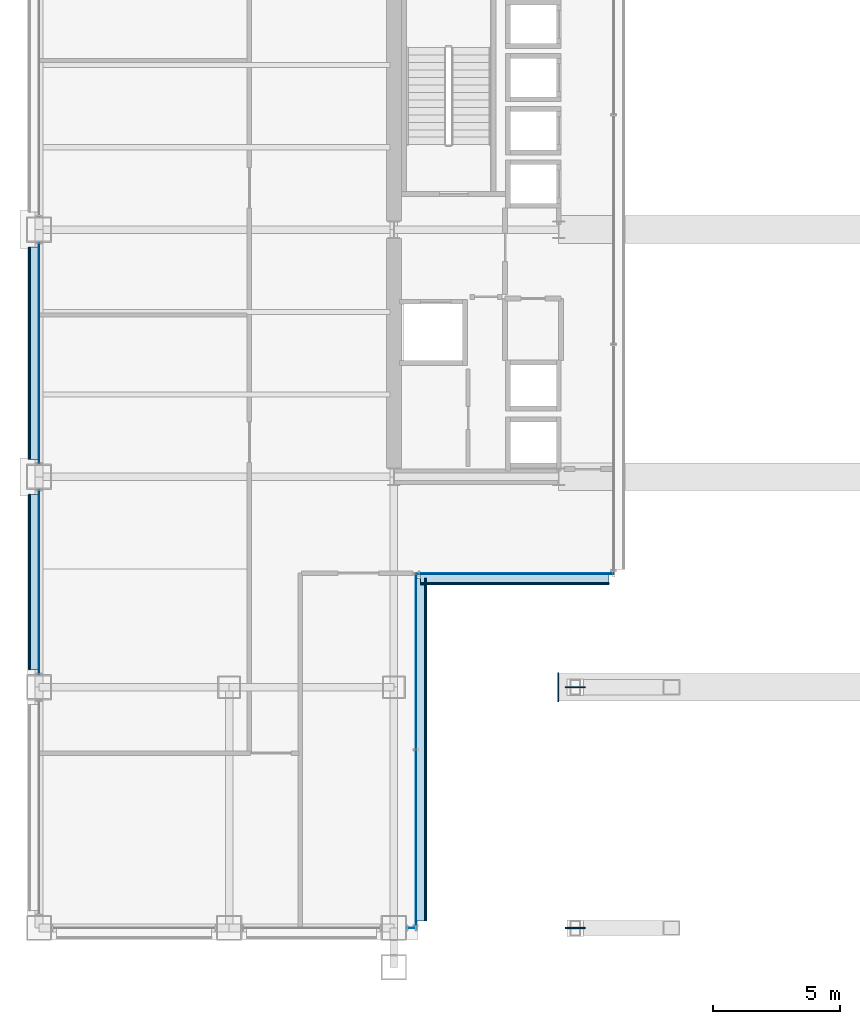
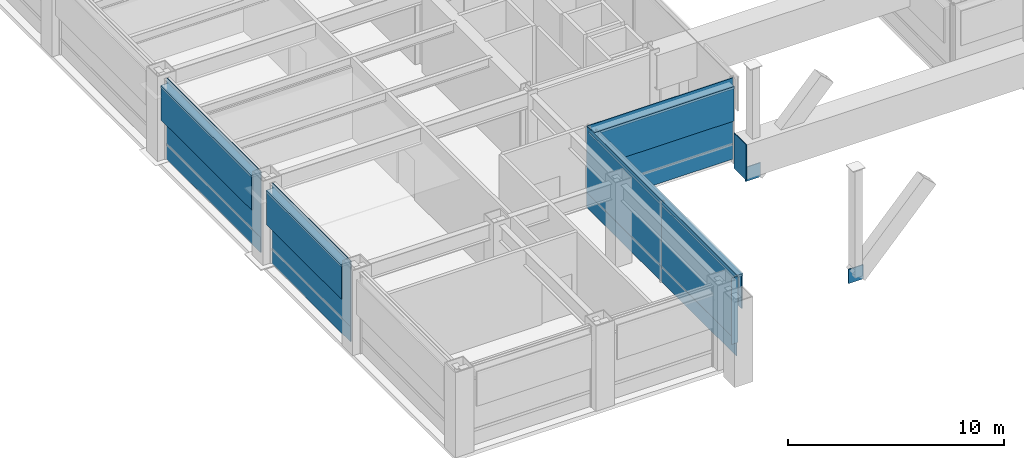
# One storey, part 29 of 42: 22 plates, 5 elements without a shape of their own.
"""IFC4 building model written with IfcOpenShell, lengths in metres."""

from ifc_helpers import new_model, si_unit, direction, frame, origin, origin_2d, place, context, subcontext, project, spatial, rectangle, extrude, material, layer, layer_set, type_object, element, aggregate, save


model = new_model("IFC4")

# Units and contexts
model_context = context("Model", 3, precision=1e-05, world=origin(), true_north=direction((0.0, 1.0)))
body_context = subcontext(model_context, "Body", "Model", "MODEL_VIEW")
ifc_project = project(units=[si_unit("LENGTHUNIT", "METRE"), si_unit("AREAUNIT", "SQUARE_METRE"), si_unit("VOLUMEUNIT", "CUBIC_METRE"), si_unit("PLANEANGLEUNIT", "RADIAN"), si_unit("MASSUNIT", "GRAM", prefix="KILO")], contexts=[model_context])

# Site, building, storey
site_placement = place(None, origin())
site = spatial("IfcSite", under=ifc_project, at=site_placement, CompositionType="ELEMENT")
building_placement = place(site_placement, origin())
building = spatial("IfcBuilding", under=site, at=building_placement, Name="Brelmoor Portico Tower", CompositionType="ELEMENT")
storey_placement = place(building_placement, frame((0.0, 0.0, 9.60009765625)))
storey = spatial("IfcBuildingStorey", under=building, at=storey_placement, Name="L02", CompositionType="ELEMENT", Elevation=9.60009765625)

# Plate
ifc_material_1 = material(Name="Steel Q355B", Category="steel")
ifc_layer_1 = layer(ifc_material_1, 0.044921875)
ifc_layer_set_1 = layer_set([ifc_layer_1], Name="Steel Q355B")
plate_type_1 = type_object("IfcPlateType", Name="PT-CAP-650", PredefinedType="SHEET", material=ifc_layer_set_1)
plate_1_placement = place(storey_placement, frame((-8.070068359375, -18.050048828125, 2.60986328125), z_axis=(0.0, 0.0, 1.0), x_axis=(1.0, 0.0, 0.0)))
element("IfcPlate", 1, at=plate_1_placement, inside=storey, type_object=plate_type_1, Name="L02 Portico Arch Transfer Box End Cap Plate 01-W", PredefinedType="SHEET", context=body_context, shape_type="SweptSolid", body=[
    extrude(rectangle(XDim=0.0400390625, YDim=1.139892578125, at=origin_2d()), origin(), (0.0, 0.0, 1.0), 1.989990234375),
])

# Curtain wall, plate
ifc_material_2 = material(Name="Anodised Aluminium Alloy 6063-T6", Category="aluminium")
ifc_layer_2 = layer(ifc_material_2, 0.179931640625)
ifc_layer_set_2 = layer_set([ifc_layer_2], Name="Anodised Aluminium Alloy 6063-T6")
curtain_wall_type = type_object("IfcCurtainWallType", Name="CW-PODIUM-ARCH", PredefinedType="NOTDEFINED", material=ifc_layer_set_2)
curtain_wall_1_placement = place(storey_placement, origin())
curtain_wall_1 = element("IfcCurtainWall", 2, at=curtain_wall_1_placement, inside=storey, type_object=curtain_wall_type, Name="L02 Curtain Wall CW-L02-01-3", PredefinedType="NOTDEFINED")
ifc_material_3 = material(Name="Double-Silver Low-E Insulated Glazing", Category="glass")
ifc_layer_3 = layer(ifc_material_3, 0.035888671875)
ifc_layer_set_3 = layer_set([ifc_layer_3], Name="Double-Silver Low-E Insulated Glazing")
plate_type_2 = type_object("IfcPlateType", Name="PT-CW-GLASS", PredefinedType="CURTAIN_PANEL", material=ifc_layer_set_3)
plate_2_placement = place(storey_placement, frame((-13.860107421875, -27.550048828125, 0.849853515625), z_axis=(0.0, 0.0, 1.0), x_axis=(1.0, 0.0, 0.0)))
plate_2 = element("IfcPlate", 3, at=plate_2_placement, type_object=plate_type_2, Name="CW-L02-01-3 Vision Glass Panel 00", PredefinedType="CURTAIN_PANEL", context=body_context, shape_type="SweptSolid", body=[
    extrude(rectangle(XDim=0.330078125, YDim=0.035888671875, at=origin_2d()), origin(), (0.0, 0.0, 1.0), 3.72998046875),
])
aggregate(curtain_wall_1, [plate_2])

curtain_wall_2_placement = place(storey_placement, origin())
curtain_wall_2 = element("IfcCurtainWall", 4, at=curtain_wall_2_placement, inside=storey, type_object=curtain_wall_type, Name="L02 Curtain Wall CW-L02-05-2", PredefinedType="NOTDEFINED")
plate_3_placement = place(storey_placement, frame((-28.550048828125, -13.89990234375, 0.849853515625), z_axis=(0.0, 0.0, 1.0), x_axis=(0.0, 1.0, 0.0)))
plate_3 = element("IfcPlate", 5, at=plate_3_placement, type_object=plate_type_2, Name="CW-L02-05-2 Vision Glass Panel 00", PredefinedType="CURTAIN_PANEL", context=body_context, shape_type="SweptSolid", body=[
    extrude(rectangle(XDim=7.25, YDim=0.035888671875, at=origin_2d()), origin(), (0.0, 0.0, 1.0), 3.72998046875),
])

curtain_wall_3_placement = place(storey_placement, origin())
curtain_wall_3 = element("IfcCurtainWall", 6, at=curtain_wall_3_placement, inside=storey, type_object=curtain_wall_type, Name="L02 Curtain Wall CW-L02-05-3", PredefinedType="NOTDEFINED")
plate_4_placement = place(storey_placement, frame((-28.550048828125, -4.875, 0.849853515625), z_axis=(0.0, 0.0, 1.0), x_axis=(0.0, 1.0, 0.0)))
plate_4 = element("IfcPlate", 7, at=plate_4_placement, type_object=plate_type_2, Name="CW-L02-05-3 Vision Glass Panel 00", PredefinedType="CURTAIN_PANEL", context=body_context, shape_type="SweptSolid", body=[
    extrude(rectangle(XDim=8.699951171875, YDim=0.035888671875, at=origin_2d()), origin(), (0.0, 0.0, 1.0), 3.72998046875),
])

# Curtain wall, plates
curtain_wall_4_placement = place(storey_placement, origin())
curtain_wall_4 = element("IfcCurtainWall", 8, at=curtain_wall_4_placement, inside=storey, type_object=curtain_wall_type, Name="L02 Curtain Wall CW-L02-07", PredefinedType="NOTDEFINED")
plate_5_placement = place(storey_placement, frame((-13.679931640625, -23.982421875, 0.849853515625), z_axis=(0.0, 0.0, 1.0), x_axis=(0.0, 1.0, 0.0)))
plate_5 = element("IfcPlate", 9, at=plate_5_placement, type_object=plate_type_2, Name="CW-L02-07 Vision Glass Panel 00", PredefinedType="CURTAIN_PANEL", context=body_context, shape_type="SweptSolid", body=[
    extrude(rectangle(XDim=6.905029296875, YDim=0.035888671875, at=origin_2d()), origin(), (0.0, 0.0, 1.0), 3.72998046875),
])
plate_6_placement = place(storey_placement, frame((-13.679931640625, -17.047607421875, 0.849853515625), z_axis=(0.0, 0.0, 1.0), x_axis=(0.0, 1.0, 0.0)))
plate_6 = element("IfcPlate", 10, at=plate_6_placement, type_object=plate_type_2, Name="CW-L02-07 Vision Glass Panel 01", PredefinedType="CURTAIN_PANEL", context=body_context, shape_type="SweptSolid", body=[
    extrude(rectangle(XDim=6.905029296875, YDim=0.035888671875, at=origin_2d()), origin(), (0.0, 0.0, 1.0), 3.72998046875),
])

# Curtain wall, plate
curtain_wall_5_placement = place(storey_placement, origin())
curtain_wall_5 = element("IfcCurtainWall", 11, at=curtain_wall_5_placement, inside=storey, type_object=curtain_wall_type, Name="L02 Curtain Wall CW-L02-11", PredefinedType="NOTDEFINED")
plate_7_placement = place(storey_placement, frame((-9.780029296875, -13.580078125, 0.849853515625), z_axis=(0.0, 0.0, 1.0), x_axis=(1.0, 0.0, 0.0)))
plate_7 = element("IfcPlate", 12, at=plate_7_placement, type_object=plate_type_2, Name="CW-L02-11 Vision Glass Panel 00", PredefinedType="CURTAIN_PANEL", context=body_context, shape_type="SweptSolid", body=[
    extrude(rectangle(XDim=7.77001953125, YDim=0.035888671875, at=origin_2d()), origin(), (0.0, 0.0, 1.0), 3.72998046875),
])

# Plate
ifc_material_4 = material(Name="Pale Champagne Anodised Aluminium Panel", Category="aluminium")
ifc_layer_4 = layer(ifc_material_4, 0.050048828125)
ifc_layer_set_4 = layer_set([ifc_layer_4], Name="Pale Champagne Anodised Aluminium Panel")
plate_type_3 = type_object("IfcPlateType", Name="PT-CW-SPANDREL", PredefinedType="SHEET", material=ifc_layer_set_4)
plate_8_placement = place(storey_placement, frame((-28.550048828125, -13.89990234375, -0.000244140625), z_axis=(0.0, 0.0, 1.0), x_axis=(0.0, 1.0, 0.0)))
plate_8 = element("IfcPlate", 13, at=plate_8_placement, type_object=plate_type_3, Name="CW-L02-05-2 Spandrel Panel 00", PredefinedType="SHEET", context=body_context, shape_type="SweptSolid", body=[
    extrude(rectangle(XDim=7.25, YDim=0.050048828125, at=origin_2d()), origin(), (0.0, 0.0, 1.0), 0.85009765625),
])

aggregate(curtain_wall_2, [plate_8, plate_3])

plate_9_placement = place(storey_placement, frame((-28.550048828125, -4.875, -0.000244140625), z_axis=(0.0, 0.0, 1.0), x_axis=(0.0, 1.0, 0.0)))
plate_9 = element("IfcPlate", 14, at=plate_9_placement, type_object=plate_type_3, Name="CW-L02-05-3 Spandrel Panel 00", PredefinedType="SHEET", context=body_context, shape_type="SweptSolid", body=[
    extrude(rectangle(XDim=8.699951171875, YDim=0.050048828125, at=origin_2d()), origin(), (0.0, 0.0, 1.0), 0.85009765625),
])

aggregate(curtain_wall_3, [plate_9, plate_4])

plate_10_placement = place(storey_placement, frame((-13.679931640625, -23.982421875, -0.000244140625), z_axis=(0.0, 0.0, 1.0), x_axis=(0.0, 1.0, 0.0)))
plate_10 = element("IfcPlate", 15, at=plate_10_placement, type_object=plate_type_3, Name="CW-L02-07 Spandrel Panel 00", PredefinedType="SHEET", context=body_context, shape_type="SweptSolid", body=[
    extrude(rectangle(XDim=6.905029296875, YDim=0.050048828125, at=origin_2d()), origin(), (0.0, 0.0, 1.0), 0.85009765625),
])

plate_11_placement = place(storey_placement, frame((-13.679931640625, -17.047607421875, -0.000244140625), z_axis=(0.0, 0.0, 1.0), x_axis=(0.0, 1.0, 0.0)))
plate_11 = element("IfcPlate", 16, at=plate_11_placement, type_object=plate_type_3, Name="CW-L02-07 Spandrel Panel 01", PredefinedType="SHEET", context=body_context, shape_type="SweptSolid", body=[
    extrude(rectangle(XDim=6.905029296875, YDim=0.050048828125, at=origin_2d()), origin(), (0.0, 0.0, 1.0), 0.85009765625),
])

aggregate(curtain_wall_4, [plate_10, plate_5, plate_11, plate_6])

plate_12_placement = place(storey_placement, frame((-9.780029296875, -13.580078125, -0.000244140625), z_axis=(0.0, 0.0, 1.0), x_axis=(1.0, 0.0, 0.0)))
plate_12 = element("IfcPlate", 17, at=plate_12_placement, type_object=plate_type_3, Name="CW-L02-11 Spandrel Panel 00", PredefinedType="SHEET", context=body_context, shape_type="SweptSolid", body=[
    extrude(rectangle(XDim=7.77001953125, YDim=0.050048828125, at=origin_2d()), origin(), (0.0, 0.0, 1.0), 0.85009765625),
])

aggregate(curtain_wall_5, [plate_12, plate_7])

# Plates
ifc_layer_5 = layer(ifc_material_1, 0.050048828125)
ifc_layer_set_5 = layer_set([ifc_layer_5], Name="Steel Q355B")
plate_type_4 = type_object("IfcPlateType", Name="PT-GUSSET-800", PredefinedType="USERDEFINED", material=ifc_layer_set_5)
for number, where, z_axis, x_axis, name in (
    (18, (-7.39990234375, -27.550048828125, 2.10009765625), (0.0, 0.0, 1.0), (1.0, 0.0, 0.0), "Portico Arch Gusset Plate S1-2"),
    (19, (-7.39990234375, -18.050048828125, 2.10009765625), (0.0, 0.0, 1.0), (1.0, 0.0, 0.0), "Portico Arch Gusset Plate S2-2"),
):
    element("IfcPlate", number, at=place(storey_placement, frame(where, z_axis=z_axis, x_axis=x_axis)), inside=storey, type_object=plate_type_4, Name=name, ObjectType="GUSSET PLATE", PredefinedType="USERDEFINED", context=body_context, shape_type="SweptSolid", body=[
        extrude(rectangle(XDim=0.800048828125, YDim=0.050048828125, at=origin_2d()), origin(), (0.0, 0.0, 1.0), 0.800048828125),
    ])
ifc_material_5 = material(Name="Powder-Coated Aluminium Shuttered Jalousie Louvre", Category="aluminium")
ifc_layer_6 = layer(ifc_material_5, 0.06005859375)
ifc_layer_set_6 = layer_set([ifc_layer_6], Name="Powder-Coated Aluminium Shuttered Jalousie Louvre")
plate_type_5 = type_object("IfcPlateType", Name="PT-JALOUSIE-SHUTTER", PredefinedType="SHEET", material=ifc_layer_set_6)
plate_13_placement = place(storey_placement, frame((-28.929931640625, -13.89990234375, 2.4404296875), z_axis=(0.0, 0.0, 1.0), x_axis=(0.0, 1.0, 0.0)))
element("IfcPlate", 20, at=plate_13_placement, inside=storey, type_object=plate_type_5, Name="CW-L02-05-2 Perforated Jalousie Solar Screen", PredefinedType="SHEET", context=body_context, shape_type="SweptSolid", body=[
    extrude(rectangle(XDim=6.919921875, YDim=0.06494140625, at=origin_2d()), origin(), (0.0, 0.0, 1.0), 1.939697265625),
])
plate_14_placement = place(storey_placement, frame((-28.929931640625, -4.875, 2.4404296875), z_axis=(0.0, 0.0, 1.0), x_axis=(0.0, 1.0, 0.0)))
element("IfcPlate", 21, at=plate_14_placement, inside=storey, type_object=plate_type_5, Name="CW-L02-05-3 Perforated Jalousie Solar Screen", PredefinedType="SHEET", context=body_context, shape_type="SweptSolid", body=[
    extrude(rectangle(XDim=8.3701171875, YDim=0.06494140625, at=origin_2d()), origin(), (0.0, 0.0, 1.0), 1.939697265625),
])
plate_15_placement = place(storey_placement, frame((-13.300048828125, -20.514892578125, 2.4404296875), z_axis=(0.0, 0.0, 1.0), x_axis=(0.0, 1.0, 0.0)))
element("IfcPlate", 22, at=plate_15_placement, inside=storey, type_object=plate_type_5, Name="CW-L02-07 Perforated Jalousie Solar Screen", PredefinedType="SHEET", context=body_context, shape_type="SweptSolid", body=[
    extrude(rectangle(XDim=13.510009765625, YDim=0.06494140625, at=origin_2d()), origin(), (0.0, 0.0, 1.0), 1.939697265625),
])
plate_16_placement = place(storey_placement, frame((-9.780029296875, -13.9599609375, 2.4404296875), z_axis=(0.0, 0.0, 1.0), x_axis=(1.0, 0.0, 0.0)))
element("IfcPlate", 23, at=plate_16_placement, inside=storey, type_object=plate_type_5, Name="CW-L02-11 Perforated Jalousie Solar Screen", PredefinedType="SHEET", context=body_context, shape_type="SweptSolid", body=[
    extrude(rectangle(XDim=7.43994140625, YDim=0.06494140625, at=origin_2d()), origin(), (0.0, 0.0, 1.0), 1.939697265625),
])
ifc_material_6 = material(Name="Pale Champagne Perforated Aluminium Solar Screen", Category="aluminium")
ifc_layer_7 = layer(ifc_material_6, 0.054931640625)
ifc_layer_set_7 = layer_set([ifc_layer_7], Name="Pale Champagne Perforated Aluminium Solar Screen")
plate_type_6 = type_object("IfcPlateType", Name="PT-SOLAR-LOUVRE", PredefinedType="SHEET", material=ifc_layer_set_7)
plate_17_placement = place(storey_placement, frame((-28.760009765625, -13.89990234375, 4.27001953125), z_axis=(0.0, 0.0, 1.0), x_axis=(0.0, 1.0, 0.0)))
element("IfcPlate", 24, at=plate_17_placement, inside=storey, type_object=plate_type_6, Name="CW-L02-05-2 Caribbean Brise-Soleil Solar Screen", PredefinedType="SHEET", context=body_context, shape_type="SweptSolid", body=[
    extrude(rectangle(XDim=6.919921875, YDim=0.4599609375, at=origin_2d()), origin(), (0.0, 0.0, 1.0), 0.139892578125),
])
plate_18_placement = place(storey_placement, frame((-28.760009765625, -4.875, 4.27001953125), z_axis=(0.0, 0.0, 1.0), x_axis=(0.0, 1.0, 0.0)))
element("IfcPlate", 25, at=plate_18_placement, inside=storey, type_object=plate_type_6, Name="CW-L02-05-3 Caribbean Brise-Soleil Solar Screen", PredefinedType="SHEET", context=body_context, shape_type="SweptSolid", body=[
    extrude(rectangle(XDim=8.3701171875, YDim=0.4599609375, at=origin_2d()), origin(), (0.0, 0.0, 1.0), 0.139892578125),
])
plate_19_placement = place(storey_placement, frame((-13.469970703125, -20.514892578125, 4.27001953125), z_axis=(0.0, 0.0, 1.0), x_axis=(0.0, 1.0, 0.0)))
element("IfcPlate", 26, at=plate_19_placement, inside=storey, type_object=plate_type_6, Name="CW-L02-07 Caribbean Brise-Soleil Solar Screen", PredefinedType="SHEET", context=body_context, shape_type="SweptSolid", body=[
    extrude(rectangle(XDim=13.510009765625, YDim=0.4599609375, at=origin_2d()), origin(), (0.0, 0.0, 1.0), 0.139892578125),
])
plate_20_placement = place(storey_placement, frame((-9.780029296875, -13.7900390625, 4.27001953125), z_axis=(0.0, 0.0, 1.0), x_axis=(1.0, 0.0, 0.0)))
element("IfcPlate", 27, at=plate_20_placement, inside=storey, type_object=plate_type_6, Name="CW-L02-11 Caribbean Brise-Soleil Solar Screen", PredefinedType="SHEET", context=body_context, shape_type="SweptSolid", body=[
    extrude(rectangle(XDim=7.43994140625, YDim=0.4599609375, at=origin_2d()), origin(), (0.0, 0.0, 1.0), 0.139892578125),
])

save(model, "model.ifc")
